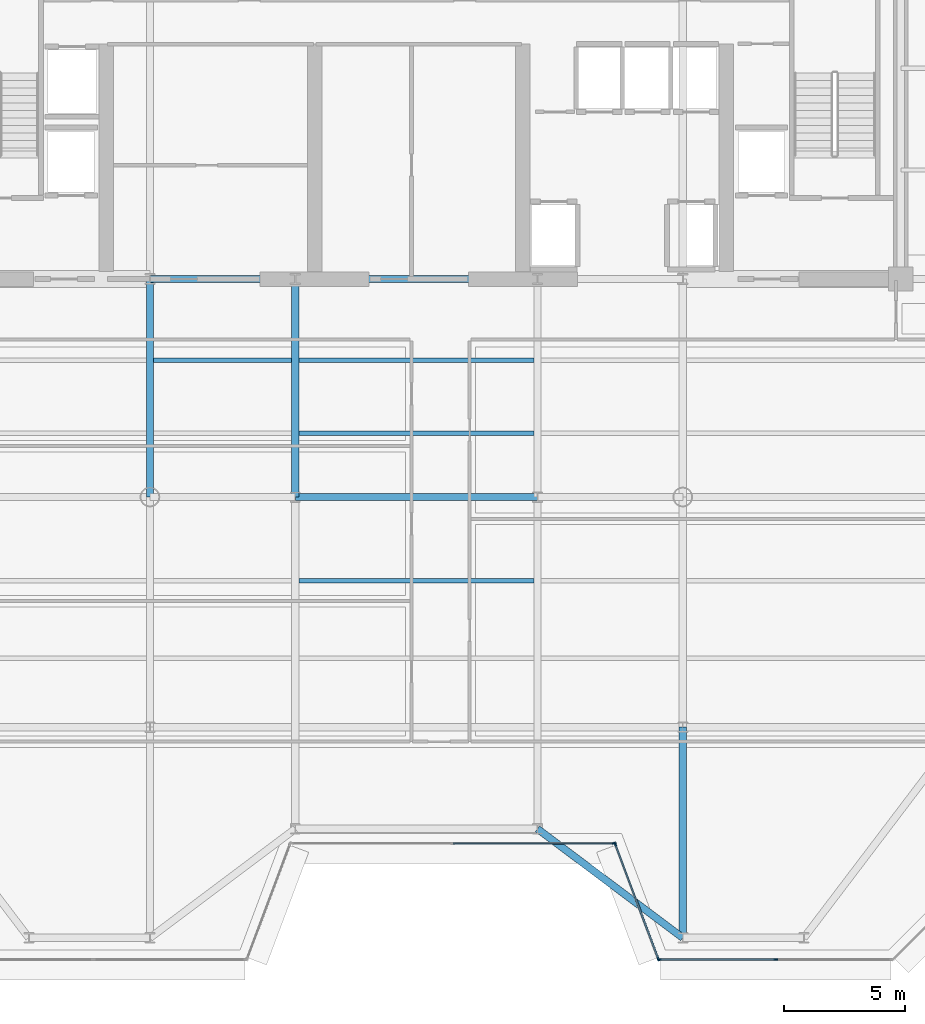
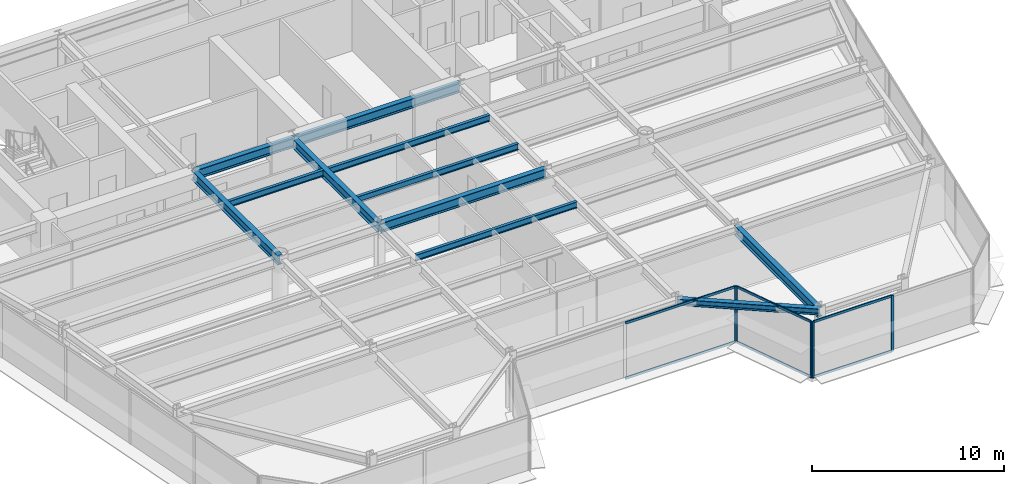
# One storey, part 5 of 16: 11 beams, 11 members, 3 elements without a shape of their own.
"""IFC4 building model written with IfcOpenShell, lengths in metres."""

from ifc_helpers import new_model, si_unit, direction, frame, origin, origin_2d, place, context, subcontext, project, spatial, rectangle, i_section, extrude, source, transform, mapped, material, layer, layer_set, material_profile, profile_set, type_object, element, aggregate, save


model = new_model("IFC4")

# Units and contexts
model_context = context("Model", 3, precision=1e-05, world=origin(), true_north=direction((0.0, 1.0)))
body_context = subcontext(model_context, "Body", "Model", "MODEL_VIEW")
ifc_project = project(units=[si_unit("LENGTHUNIT", "METRE"), si_unit("AREAUNIT", "SQUARE_METRE"), si_unit("VOLUMEUNIT", "CUBIC_METRE"), si_unit("PLANEANGLEUNIT", "RADIAN"), si_unit("MASSUNIT", "GRAM", prefix="KILO")], contexts=[model_context])

# Site, building, storey
site_placement = place(None, origin())
site = spatial("IfcSite", under=ifc_project, at=site_placement, CompositionType="ELEMENT")
building_placement = place(site_placement, origin())
building = spatial("IfcBuilding", under=site, at=building_placement, Name="Vaeldorn Concourse Tower", CompositionType="ELEMENT")
storey_placement = place(building_placement, frame((0.0, 0.0, 223.199951171875)))
storey = spatial("IfcBuildingStorey", under=building, at=storey_placement, Name="L57", CompositionType="ELEMENT", Elevation=223.199951171875)

# Beams
ifc_material_1 = material(Name="Steel S355", Category="steel")
ifc_material_profile_1 = material_profile(ifc_material_1, i_section(OverallWidth=0.300048828125, OverallDepth=0.60009765625, WebThickness=0.015380859375, FlangeThickness=0.030029296875, FilletRadius=0.027099609375, at=origin_2d()), Name="HEB 600")
ifc_profile_set_1 = profile_set([ifc_material_profile_1], Name="Steel S355")
beam_type_1 = type_object("IfcBeamType", Name="BM-PG-HEB600", PredefinedType="BEAM", material=ifc_profile_set_1)
shared_shape_1 = source(origin(), body_context, "Body", "SweptSolid", [
    extrude(i_section(OverallWidth=0.300048828125, OverallDepth=0.60009765625, WebThickness=0.015380859375, FlangeThickness=0.030029296875, FilletRadius=0.027099609375, at=origin_2d()), origin(), (0.0, 0.0, 1.0), 6.0),
])
beam_1_placement = place(storey_placement, frame((23.0, 36.5, 3.280029296875), z_axis=(1.0, 0.0, 0.0), x_axis=(0.0, 1.0, 0.0)))
element("IfcBeam", 1, at=beam_1_placement, inside=storey, type_object=beam_type_1, Name="Beam BM-L57-C-FC2-C-FC3", PredefinedType="BEAM", context=body_context, shape_type="MappedRepresentation", body=[
    mapped(shared_shape_1, transform((0.0, 0.0, 0.0), scale=1.0)),
])
shared_shape_2 = source(origin(), body_context, "Body", "SweptSolid", [
    extrude(i_section(OverallWidth=0.300048828125, OverallDepth=0.60009765625, WebThickness=0.015380859375, FlangeThickness=0.030029296875, FilletRadius=0.027099609375, at=origin_2d()), origin(), (0.0, 0.0, 1.0), 10.0),
])
for number, where, z_axis, x_axis, name in (
    (2, (29.0, 36.5, 3.280029296875), (1.0, 0.0, 0.0), (0.0, 1.0, 0.0), "Beam BM-L57-C-FC3-C-FC4"),
    (3, (29.0, 27.5, 3.280029296875), (1.0, 0.0, 0.0), (0.0, 1.0, 0.0), "Beam BM-L57-C-TW2-C-TW3"),
):
    element("IfcBeam", number, at=place(storey_placement, frame(where, z_axis=z_axis, x_axis=x_axis)), inside=storey, type_object=beam_type_1, Name=name, PredefinedType="BEAM", context=body_context, shape_type="MappedRepresentation", body=[
        mapped(shared_shape_2, transform((0.0, 0.0, 0.0), scale=1.0)),
    ])
shared_shape_3 = source(origin(), body_context, "Body", "SweptSolid", [
    extrude(i_section(OverallWidth=0.300048828125, OverallDepth=0.60009765625, WebThickness=0.015380859375, FlangeThickness=0.030029296875, FilletRadius=0.027099609375, at=origin_2d()), origin(), (0.0, 0.0, 1.0), 9.0),
])
for number, where, z_axis, x_axis, name in (
    (4, (23.0, 27.5, 3.280029296875), (0.0, 1.0, 0.0), (-1.0, 0.0, 0.0), "Beam BM-L57-C-TW1-C-FC2"),
    (5, (29.0, 27.5, 3.280029296875), (0.0, 1.0, 0.0), (-1.0, 0.0, 0.0), "Beam BM-L57-C-TW2-C-FC3"),
):
    element("IfcBeam", number, at=place(storey_placement, frame(where, z_axis=z_axis, x_axis=x_axis)), inside=storey, type_object=beam_type_1, Name=name, PredefinedType="BEAM", context=body_context, shape_type="MappedRepresentation", body=[
        mapped(shared_shape_3, transform((0.0, 0.0, 0.0), scale=1.0)),
    ])
ifc_material_profile_2 = material_profile(ifc_material_1, i_section(OverallWidth=0.300048828125, OverallDepth=0.39990234375, WebThickness=0.013427734375, FlangeThickness=0.02392578125, FilletRadius=0.027099609375, at=origin_2d()), Name="HEB 400")
ifc_profile_set_2 = profile_set([ifc_material_profile_2], Name="Steel S355")
beam_type_2 = type_object("IfcBeamType", Name="BM-SP-HEB400", PredefinedType="SPANDREL", material=ifc_profile_set_2)
shared_shape_4 = source(origin(), body_context, "Body", "SweptSolid", [
    extrude(i_section(OverallWidth=0.300048828125, OverallDepth=0.39990234375, WebThickness=0.013427734375, FlangeThickness=0.02392578125, FilletRadius=0.027099609375, at=origin_2d()), origin(), (0.0, 0.0, 1.0), 7.5),
])
beam_2_placement = place(storey_placement, frame((39.0, 13.800048828125, 3.380126953125), z_axis=(0.8, -0.6, 0.0), x_axis=(0.6, 0.8, 0.0)))
element("IfcBeam", 6, at=beam_2_placement, inside=storey, type_object=beam_type_2, Name="Beam BM-L57-C-SF4-C-SF5", PredefinedType="SPANDREL", context=body_context, shape_type="MappedRepresentation", body=[
    mapped(shared_shape_4, transform((0.0, 0.0, 0.0), scale=1.0)),
])
ifc_material_profile_3 = material_profile(ifc_material_1, i_section(OverallWidth=0.179931640625, OverallDepth=0.39990234375, WebThickness=0.008544921875, FlangeThickness=0.013427734375, FilletRadius=0.02099609375, at=origin_2d()), Name="IPE 400")
ifc_profile_set_3 = profile_set([ifc_material_profile_3], Name="Steel S355")
beam_type_3 = type_object("IfcBeamType", Name="BM-JS-IPE400", PredefinedType="JOIST", material=ifc_profile_set_3)
shared_shape_5 = source(origin(), body_context, "Body", "SweptSolid", [
    extrude(i_section(OverallWidth=0.179931640625, OverallDepth=0.39990234375, WebThickness=0.008544921875, FlangeThickness=0.013427734375, FilletRadius=0.02099609375, at=origin_2d()), origin(), (0.0, 0.0, 1.0), 5.7001953125),
])
beam_3_placement = place(storey_placement, frame((23.14990234375, 33.139892578125, 3.380126953125), z_axis=(1.0, 0.0, 0.0), x_axis=(0.0, 1.0, 0.0)))
element("IfcBeam", 7, at=beam_3_placement, inside=storey, type_object=beam_type_3, Name="Beam JS-L57-W2-331", PredefinedType="JOIST", context=body_context, shape_type="MappedRepresentation", body=[
    mapped(shared_shape_5, transform((0.0, 0.0, 0.0), scale=1.0)),
])
shared_shape_6 = source(origin(), body_context, "Body", "SweptSolid", [
    extrude(i_section(OverallWidth=0.179931640625, OverallDepth=0.39990234375, WebThickness=0.008544921875, FlangeThickness=0.013427734375, FilletRadius=0.02099609375, at=origin_2d()), origin(), (0.0, 0.0, 1.0), 9.7001953125),
])
for number, where, z_axis, x_axis, name in (
    (8, (29.14990234375, 24.0400390625, 3.380126953125), (1.0, 0.0, 0.0), (0.0, 1.0, 0.0), "Beam JS-L57-C-240"),
    (9, (29.14990234375, 30.139892578125, 3.380126953125), (1.0, 0.0, 0.0), (0.0, 1.0, 0.0), "Beam JS-L57-C-301"),
    (10, (29.14990234375, 33.139892578125, 3.380126953125), (1.0, 0.0, 0.0), (0.0, 1.0, 0.0), "Beam JS-L57-C-331"),
):
    element("IfcBeam", number, at=place(storey_placement, frame(where, z_axis=z_axis, x_axis=x_axis)), inside=storey, type_object=beam_type_3, Name=name, PredefinedType="JOIST", context=body_context, shape_type="MappedRepresentation", body=[
        mapped(shared_shape_6, transform((0.0, 0.0, 0.0), scale=1.0)),
    ])
shared_shape_7 = source(origin(), body_context, "Body", "SweptSolid", [
    extrude(i_section(OverallWidth=0.300048828125, OverallDepth=0.60009765625, WebThickness=0.015380859375, FlangeThickness=0.030029296875, FilletRadius=0.027099609375, at=origin_2d()), origin(), (0.0, 0.0, 1.0), 8.699951171875),
])
beam_4_placement = place(storey_placement, frame((45.0, 9.300048828125, 3.280029296875), z_axis=(0.0, 1.0, 0.0), x_axis=(-1.0, 0.0, 0.0)))
element("IfcBeam", 11, at=beam_4_placement, inside=storey, type_object=beam_type_1, Name="Beam BM-L57-C-SF5-C-TW6", PredefinedType="BEAM", context=body_context, shape_type="MappedRepresentation", body=[
    mapped(shared_shape_7, transform((0.0, 0.0, 0.0), scale=1.0)),
])

# Curtain wall, members
ifc_material_2 = material(Name="Anodised Bronze Aluminium", Category="aluminium")
ifc_layer = layer(ifc_material_2, 0.179931640625)
ifc_layer_set = layer_set([ifc_layer], Name="Anodised Bronze Aluminium")
curtain_wall_type = type_object("IfcCurtainWallType", Name="CW-SYS-05", PredefinedType="NOTDEFINED", material=ifc_layer_set)
curtain_wall_1_placement = place(storey_placement, origin())
curtain_wall_1 = element("IfcCurtainWall", 12, at=curtain_wall_1_placement, inside=storey, type_object=curtain_wall_type, Name="Unitised Curtain Wall CW-L57-E04-1", PredefinedType="NOTDEFINED")
ifc_material_profile_4 = material_profile(ifc_material_2, rectangle(XDim=0.06494140625, YDim=0.14990234375, at=origin_2d()), Name="CWT 65x150")
ifc_profile_set_4 = profile_set([ifc_material_profile_4], Name="Anodised Bronze Aluminium")
member_type_1 = type_object("IfcMemberType", Name="CWT-BRONZE-150", PredefinedType="USERDEFINED", material=ifc_profile_set_4)
shared_shape_8 = source(origin(), body_context, "Body", "SweptSolid", [
    extrude(rectangle(XDim=0.06494140625, YDim=0.14990234375, at=origin_2d()), origin(), (0.0, 0.0, 1.0), 4.996337890625),
])
member_1_placement = place(storey_placement, frame((42.222900390625, 13.13916015625, 0.032470703125), z_axis=(0.351134151405, -0.936325161318, 0.0), x_axis=(0.936325161318, 0.351134151405, 0.0)))
member_1 = element("IfcMember", 13, at=member_1_placement, type_object=member_type_1, Name="CW-05 transom 1.1", ObjectType="TRANSOM", PredefinedType="USERDEFINED", context=body_context, shape_type="MappedRepresentation", body=[
    mapped(shared_shape_8, transform((0.0, 0.0, 0.0), scale=1.0)),
])
member_2_placement = place(storey_placement, frame((42.222900390625, 13.13916015625, 3.547607421875), z_axis=(0.351134151405, -0.936325161318, 0.0), x_axis=(0.936325161318, 0.351134151405, 0.0)))
member_2 = element("IfcMember", 14, at=member_2_placement, type_object=member_type_1, Name="CW-05 transom 1.2", ObjectType="TRANSOM", PredefinedType="USERDEFINED", context=body_context, shape_type="MappedRepresentation", body=[
    mapped(shared_shape_8, transform((0.0, 0.0, 0.0), scale=1.0)),
])

curtain_wall_2_placement = place(storey_placement, origin())
curtain_wall_2 = element("IfcCurtainWall", 15, at=curtain_wall_2_placement, inside=storey, type_object=curtain_wall_type, Name="Unitised Curtain Wall CW-L57-E03-1", PredefinedType="NOTDEFINED")
shared_shape_9 = source(origin(), body_context, "Body", "SweptSolid", [
    extrude(rectangle(XDim=0.06494140625, YDim=0.14990234375, at=origin_2d()), origin(), (0.0, 0.0, 1.0), 6.6025390625),
])
member_3_placement = place(storey_placement, frame((35.532470703125, 13.199951171875, 0.032470703125), z_axis=(1.0, 0.0, 0.0), x_axis=(0.0, 1.0, 0.0)))
member_3 = element("IfcMember", 16, at=member_3_placement, type_object=member_type_1, Name="CW-05 transom 2.1", ObjectType="TRANSOM", PredefinedType="USERDEFINED", context=body_context, shape_type="MappedRepresentation", body=[
    mapped(shared_shape_9, transform((0.0, 0.0, 0.0), scale=1.0)),
])
member_4_placement = place(storey_placement, frame((35.532470703125, 13.199951171875, 3.547607421875), z_axis=(1.0, 0.0, 0.0), x_axis=(0.0, 1.0, 0.0)))
member_4 = element("IfcMember", 17, at=member_4_placement, type_object=member_type_1, Name="CW-05 transom 2.2", ObjectType="TRANSOM", PredefinedType="USERDEFINED", context=body_context, shape_type="MappedRepresentation", body=[
    mapped(shared_shape_9, transform((0.0, 0.0, 0.0), scale=1.0)),
])
ifc_material_profile_5 = material_profile(ifc_material_2, rectangle(XDim=0.06494140625, YDim=0.169921875, at=origin_2d()), Name="CWM 65x170")
ifc_profile_set_5 = profile_set([ifc_material_profile_5], Name="Anodised Bronze Aluminium")
member_type_2 = type_object("IfcMemberType", Name="CWM-BRONZE-170", PredefinedType="MULLION", material=ifc_profile_set_5)
shared_shape_10 = source(origin(), body_context, "Body", "SweptSolid", [
    extrude(rectangle(XDim=0.06494140625, YDim=0.169921875, at=origin_2d()), origin(), (0.0, 0.0, 1.0), 3.580078125),
])
member_5_placement = place(storey_placement, frame((42.16748046875, 13.199951171875, 0.0), z_axis=(0.0, 0.0, 1.0), x_axis=(0.0, 1.0, 0.0)))
member_5 = element("IfcMember", 18, at=member_5_placement, type_object=member_type_2, Name="CW-05 mullion 3", PredefinedType="MULLION", context=body_context, shape_type="MappedRepresentation", body=[
    mapped(shared_shape_10, transform((0.0, 0.0, 0.0), scale=1.0)),
])
aggregate(curtain_wall_2, [member_5, member_3, member_4])

# Member
member_6_placement = place(storey_placement, frame((42.21142578125, 13.169677734375, 0.0), z_axis=(0.0, 0.0, 1.0), x_axis=(0.936329177566, 0.351123441595, 0.0)))
member_6 = element("IfcMember", 19, at=member_6_placement, type_object=member_type_2, Name="CW-05 mullion 1", PredefinedType="MULLION", context=body_context, shape_type="MappedRepresentation", body=[
    mapped(shared_shape_10, transform((0.0, 0.0, 0.0), scale=1.0)),
])

member_7_placement = place(storey_placement, frame((43.988525390625, 8.430419921875, 0.0), z_axis=(0.0, 0.0, 1.0), x_axis=(0.936329177566, 0.351123441595, 0.0)))
member_7 = element("IfcMember", 20, at=member_7_placement, type_object=member_type_2, Name="CW-05 mullion 2", PredefinedType="MULLION", context=body_context, shape_type="MappedRepresentation", body=[
    mapped(shared_shape_10, transform((0.0, 0.0, 0.0), scale=1.0)),
])

aggregate(curtain_wall_1, [member_6, member_7, member_1, member_2])

# Curtain wall, members
curtain_wall_3_placement = place(storey_placement, origin())
curtain_wall_3 = element("IfcCurtainWall", 21, at=curtain_wall_3_placement, inside=storey, type_object=curtain_wall_type, Name="Unitised Curtain Wall CW-L57-E05-1", PredefinedType="NOTDEFINED")
member_8_placement = place(storey_placement, frame((44.032470703125, 8.39990234375, 0.0), z_axis=(0.0, 0.0, 1.0), x_axis=(0.0, 1.0, 0.0)))
member_8 = element("IfcMember", 22, at=member_8_placement, type_object=member_type_2, Name="CW-05 mullion 1", PredefinedType="MULLION", context=body_context, shape_type="MappedRepresentation", body=[
    mapped(shared_shape_10, transform((0.0, 0.0, 0.0), scale=1.0)),
])
member_9_placement = place(storey_placement, frame((48.83544921875, 8.39990234375, 0.0), z_axis=(0.0, 0.0, 1.0), x_axis=(0.0, 1.0, 0.0)))
member_9 = element("IfcMember", 23, at=member_9_placement, type_object=member_type_2, Name="CW-05 mullion 2", PredefinedType="MULLION", context=body_context, shape_type="MappedRepresentation", body=[
    mapped(shared_shape_10, transform((0.0, 0.0, 0.0), scale=1.0)),
])
shared_shape_11 = source(origin(), body_context, "Body", "SweptSolid", [
    extrude(rectangle(XDim=0.06494140625, YDim=0.14990234375, at=origin_2d()), origin(), (0.0, 0.0, 1.0), 4.738037109375),
])
member_10_placement = place(storey_placement, frame((44.06494140625, 8.39990234375, 0.032470703125), z_axis=(1.0, 0.0, 0.0), x_axis=(0.0, 1.0, 0.0)))
member_10 = element("IfcMember", 24, at=member_10_placement, type_object=member_type_1, Name="CW-05 transom 1.1", ObjectType="TRANSOM", PredefinedType="USERDEFINED", context=body_context, shape_type="MappedRepresentation", body=[
    mapped(shared_shape_11, transform((0.0, 0.0, 0.0), scale=1.0)),
])
member_11_placement = place(storey_placement, frame((44.06494140625, 8.39990234375, 3.547607421875), z_axis=(1.0, 0.0, 0.0), x_axis=(0.0, 1.0, 0.0)))
member_11 = element("IfcMember", 25, at=member_11_placement, type_object=member_type_1, Name="CW-05 transom 1.2", ObjectType="TRANSOM", PredefinedType="USERDEFINED", context=body_context, shape_type="MappedRepresentation", body=[
    mapped(shared_shape_11, transform((0.0, 0.0, 0.0), scale=1.0)),
])
aggregate(curtain_wall_3, [member_8, member_9, member_10, member_11])

save(model, "model.ifc")
